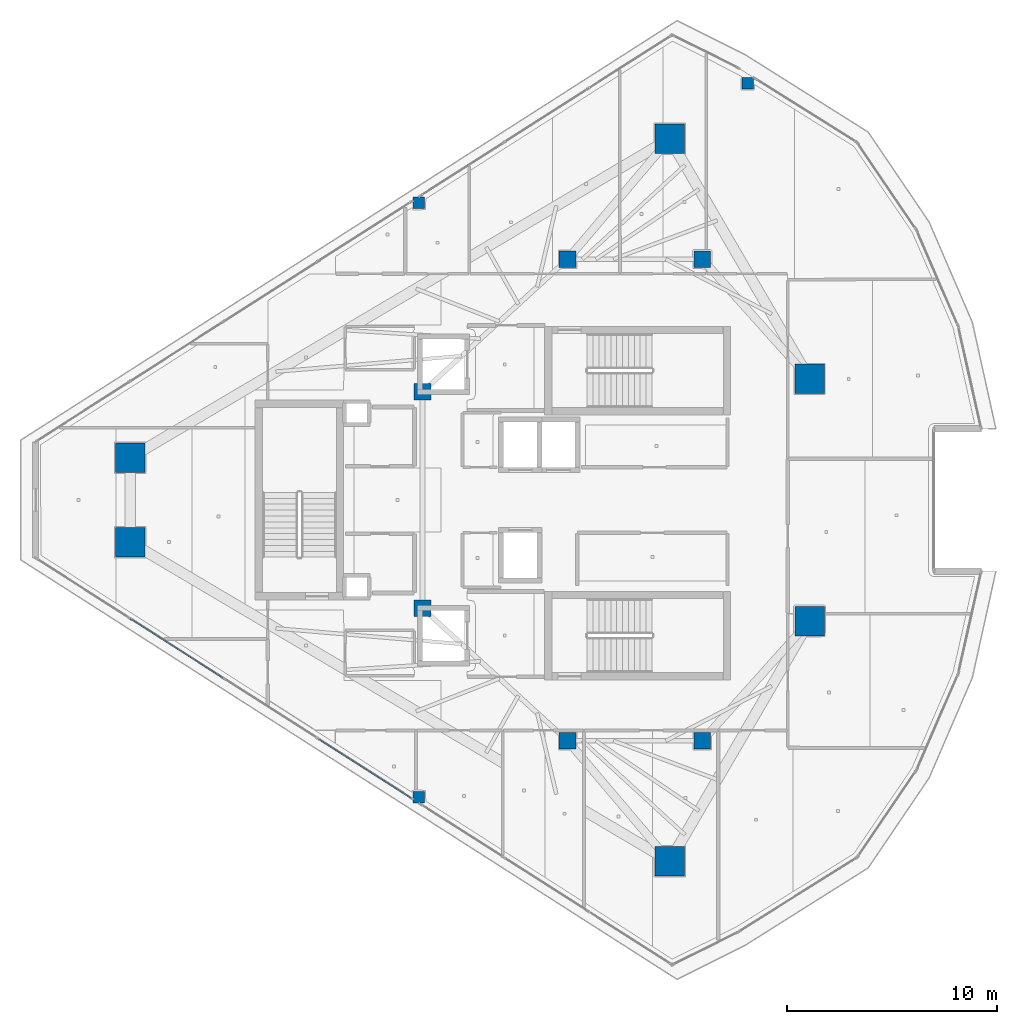
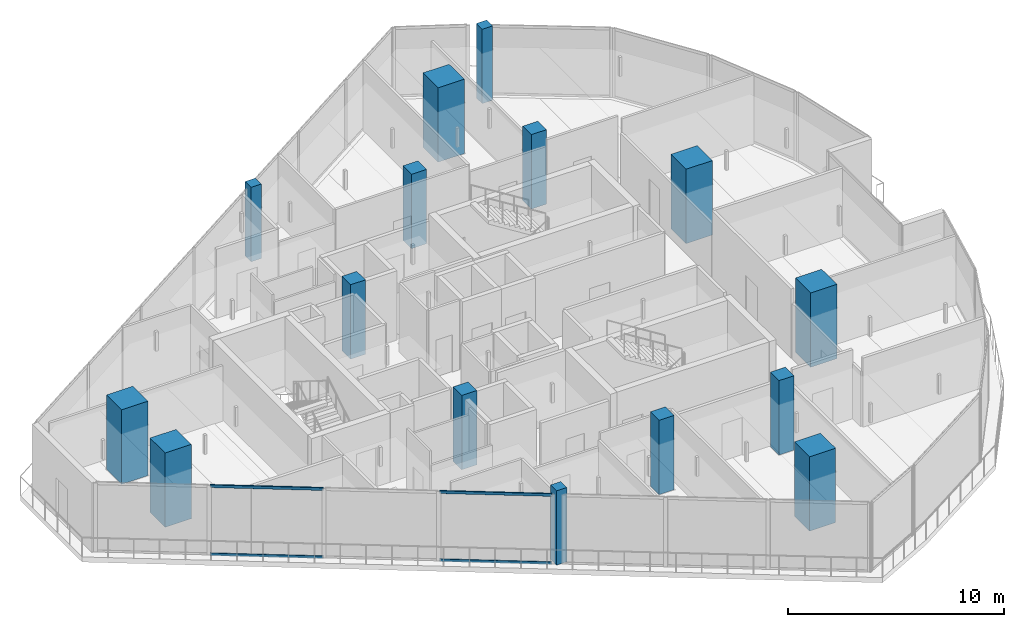
# One storey, part 1 of 25: 15 columns, 4 members, 1 element without a shape of its own.
"""IFC4 building model written with IfcOpenShell, lengths in metres."""

from ifc_helpers import new_model, si_unit, direction, frame, origin, origin_2d, place, context, subcontext, project, spatial, rectangle, hollow_rectangle, extrude, material, layer, layer_set, material_profile, profile_set, type_object, element, aggregate, save


model = new_model("IFC4")

# Units and contexts
model_context = context("Model", 3, precision=1e-05, world=origin(), true_north=direction((0.0, 1.0)))
body_context = subcontext(model_context, "Body", "Model", "MODEL_VIEW")
ifc_project = project(units=[si_unit("LENGTHUNIT", "METRE"), si_unit("AREAUNIT", "SQUARE_METRE"), si_unit("VOLUMEUNIT", "CUBIC_METRE"), si_unit("PLANEANGLEUNIT", "RADIAN"), si_unit("MASSUNIT", "GRAM", prefix="KILO")], contexts=[model_context])

# Site, building, storey
site_placement = place(None, origin())
site = spatial("IfcSite", under=ifc_project, at=site_placement, CompositionType="ELEMENT")
building_placement = place(site_placement, origin())
building = spatial("IfcBuilding", under=site, at=building_placement, Name="Qorvath Tower", CompositionType="ELEMENT")
storey_placement = place(building_placement, frame((0.0, 0.0, 306.0)))
storey = spatial("IfcBuildingStorey", under=building, at=storey_placement, Name="L71", CompositionType="ELEMENT", Elevation=306.0)

# Columns
ifc_material_1 = material(Name="Concrete C50/60", Category="concrete")
ifc_material_profile_1 = material_profile(ifc_material_1, rectangle(XDim=1.39990234375, YDim=1.39990234375, at=origin_2d()), Name="MC 1400x1400")
ifc_profile_set_1 = profile_set([ifc_material_profile_1], Name="Concrete C50/60")
column_type_1 = type_object("IfcColumnType", Name="COL-MC6", PredefinedType="COLUMN", material=ifc_profile_set_1)
for number, where, z_axis, x_axis, name in (
    (1, (-44.402587890625, 2.007568359375, 0.0), (0.0, 0.0, 1.0), (1.0, 0.0, 0.0), "Composite Mega-Column MC1 L71"),
    (2, (-44.402587890625, -2.007568359375, 0.0), (0.0, 0.0, 1.0), (1.0, 0.0, 0.0), "Composite Mega-Column MC2 L71"),
    (3, (-18.75048828125, -17.175537109375, 0.0), (0.0, 0.0, 1.0), (1.0, 0.0, 0.0), "Composite Mega-Column MC3 L71"),
    (4, (-12.0966796875, -5.7578125, 0.0), (0.0, 0.0, 1.0), (1.0, 0.0, 0.0), "Composite Mega-Column MC4 L71"),
    (5, (-12.0966796875, 5.7578125, 0.0), (0.0, 0.0, 1.0), (1.0, 0.0, 0.0), "Composite Mega-Column MC5 L71"),
    (6, (-18.75048828125, 17.175537109375, 0.0), (0.0, 0.0, 1.0), (1.0, 0.0, 0.0), "Composite Mega-Column MC6 L71"),
):
    element("IfcColumn", number, at=place(storey_placement, frame(where, z_axis=z_axis, x_axis=x_axis)), inside=storey, type_object=column_type_1, Name=name, PredefinedType="COLUMN", context=body_context, shape_type="SweptSolid", body=[
        extrude(rectangle(XDim=1.39990234375, YDim=1.39990234375, at=origin_2d()), origin(), (0.0, 0.0, 1.0), 4.199951171875),
    ])
ifc_material_2 = material(Name="Concrete C50/60", Category="concrete")
ifc_material_profile_2 = material_profile(ifc_material_2, rectangle(XDim=0.800048828125, YDim=0.800048828125, at=origin_2d()), Name="RC 800x800")
ifc_profile_set_2 = profile_set([ifc_material_profile_2], Name="Concrete C50/60")
column_type_2 = type_object("IfcColumnType", Name="COL-RC4", PredefinedType="COLUMN", material=ifc_profile_set_2)
for number, where, z_axis, x_axis, name in (
    (7, (-23.60009765625, 11.449951171875, 0.0), (0.0, 0.0, 1.0), (1.0, 0.0, 0.0), "Core Spine Column CC1 L71"),
    (8, (-17.199951171875, 11.449951171875, 0.0), (0.0, 0.0, 1.0), (1.0, 0.0, 0.0), "Core Spine Column CC2 L71"),
    (9, (-17.199951171875, -11.449951171875, 0.0), (0.0, 0.0, 1.0), (1.0, 0.0, 0.0), "Core Spine Column CC3 L71"),
    (10, (-23.60009765625, -11.449951171875, 0.0), (0.0, 0.0, 1.0), (1.0, 0.0, 0.0), "Core Spine Column CC4 L71"),
    (11, (-30.5, 5.14990234375, 0.0), (0.0, 0.0, 1.0), (1.0, 0.0, 0.0), "Core Spine Column CC5 L71"),
    (12, (-30.5, -5.14990234375, 0.0), (0.0, 0.0, 1.0), (1.0, 0.0, 0.0), "Core Spine Column CC6 L71"),
):
    element("IfcColumn", number, at=place(storey_placement, frame(where, z_axis=z_axis, x_axis=x_axis)), inside=storey, type_object=column_type_2, Name=name, PredefinedType="COLUMN", context=body_context, shape_type="SweptSolid", body=[
        extrude(rectangle(XDim=0.800048828125, YDim=0.800048828125, at=origin_2d()), origin(), (0.0, 0.0, 1.0), 4.199951171875),
    ])
ifc_material_3 = material(Name="Concrete C45/55", Category="concrete")
ifc_material_profile_3 = material_profile(ifc_material_3, rectangle(XDim=0.550048828125, YDim=0.550048828125, at=origin_2d()), Name="RC 550x550")
ifc_profile_set_3 = profile_set([ifc_material_profile_3], Name="Concrete C45/55")
column_type_3 = type_object("IfcColumnType", Name="COL-RC7", PredefinedType="COLUMN", material=ifc_profile_set_3)
for number, where, z_axis, x_axis, name in (
    (13, (-30.67724609375, 14.124267578125, 0.0), (0.0, 0.0, 1.0), (1.0, 0.0, 0.0), "Loggia Frame Pier Column LGH1 L71"),
    (14, (-30.67724609375, -14.124267578125, 0.0), (0.0, 0.0, 1.0), (1.0, 0.0, 0.0), "Loggia Frame Pier Column LGH2 L71"),
    (15, (-15.046142578125, 19.818115234375, 0.0), (0.0, 0.0, 1.0), (1.0, 0.0, 0.0), "Loggia Frame Pier Column LGH3 L71"),
):
    element("IfcColumn", number, at=place(storey_placement, frame(where, z_axis=z_axis, x_axis=x_axis)), inside=storey, type_object=column_type_3, Name=name, PredefinedType="COLUMN", context=body_context, shape_type="SweptSolid", body=[
        extrude(rectangle(XDim=0.550048828125, YDim=0.550048828125, at=origin_2d()), origin(), (0.0, 0.0, 1.0), 4.199951171875),
    ])

# Curtain wall, members
ifc_material_4 = material(Name="Anodised aluminium and triple low-E glass", Category="aluminium")
ifc_layer = layer(ifc_material_4, 0.179931640625)
ifc_layer_set = layer_set([ifc_layer], Name="CW-SYS-4")
curtain_wall_type = type_object("IfcCurtainWallType", Name="CW-SYS-4", PredefinedType="NOTDEFINED", material=ifc_layer_set)
curtain_wall_placement = place(storey_placement, origin())
curtain_wall = element("IfcCurtainWall", 16, at=curtain_wall_placement, inside=storey, type_object=curtain_wall_type, Name="Curtain Wall CW-4 CW-T-L71-2.1", PredefinedType="NOTDEFINED")
ifc_material_5 = material(Name="Anodised aluminium 6063-T6", Category="aluminium")
ifc_material_profile_4 = material_profile(ifc_material_5, hollow_rectangle(XDim=0.06494140625, YDim=0.159912109375, WallThickness=0.00341796875, InnerFilletRadius=0.00341796875, OuterFilletRadius=0.007080078125, at=origin_2d()), Name="CWT 160x65")
ifc_profile_set_4 = profile_set([ifc_material_profile_4], Name="Anodised aluminium 6063-T6")
member_type = type_object("IfcMemberType", Name="CWT-160", PredefinedType="USERDEFINED", material=ifc_profile_set_4)
member_1_placement = place(storey_placement, frame((-44.392578125, -5.64453125, 0.032470703125), z_axis=(0.842582843317, -0.538566757373, 0.0), x_axis=(0.538566757373, 0.842582843317, 0.0)))
member_1 = element("IfcMember", 17, at=member_1_placement, type_object=member_type, Name="CW-4 transom 2.1", ObjectType="TRANSOM", PredefinedType="USERDEFINED", context=body_context, shape_type="SweptSolid", body=[
    extrude(hollow_rectangle(XDim=0.06494140625, YDim=0.159912109375, WallThickness=0.00341796875, InnerFilletRadius=0.00341796875, OuterFilletRadius=0.007080078125, at=origin_2d()), origin(), (0.0, 0.0, 1.0), 5.23681640625),
])
member_2_placement = place(storey_placement, frame((-44.392578125, -5.64453125, 3.87744140625), z_axis=(0.842582843317, -0.538566757373, 0.0), x_axis=(0.538566757373, 0.842582843317, 0.0)))
member_2 = element("IfcMember", 18, at=member_2_placement, type_object=member_type, Name="CW-4 transom 2.2", ObjectType="TRANSOM", PredefinedType="USERDEFINED", context=body_context, shape_type="SweptSolid", body=[
    extrude(hollow_rectangle(XDim=0.06494140625, YDim=0.159912109375, WallThickness=0.00341796875, InnerFilletRadius=0.00341796875, OuterFilletRadius=0.007080078125, at=origin_2d()), origin(), (0.0, 0.0, 1.0), 5.23681640625),
])
member_3_placement = place(storey_placement, frame((-35.44140625, -11.36572265625, 0.032470703125), z_axis=(0.842594457649, -0.538548586423, 0.0), x_axis=(0.538548586423, 0.842594457649, 0.0)))
member_3 = element("IfcMember", 19, at=member_3_placement, type_object=member_type, Name="CW-4 transom 4.1", ObjectType="TRANSOM", PredefinedType="USERDEFINED", context=body_context, shape_type="SweptSolid", body=[
    extrude(hollow_rectangle(XDim=0.06494140625, YDim=0.159912109375, WallThickness=0.00341796875, InnerFilletRadius=0.00341796875, OuterFilletRadius=0.007080078125, at=origin_2d()), origin(), (0.0, 0.0, 1.0), 5.19921875),
])
member_4_placement = place(storey_placement, frame((-35.44140625, -11.36572265625, 3.87744140625), z_axis=(0.842594457649, -0.538548586423, 0.0), x_axis=(0.538548586423, 0.842594457649, 0.0)))
member_4 = element("IfcMember", 20, at=member_4_placement, type_object=member_type, Name="CW-4 transom 4.2", ObjectType="TRANSOM", PredefinedType="USERDEFINED", context=body_context, shape_type="SweptSolid", body=[
    extrude(hollow_rectangle(XDim=0.06494140625, YDim=0.159912109375, WallThickness=0.00341796875, InnerFilletRadius=0.00341796875, OuterFilletRadius=0.007080078125, at=origin_2d()), origin(), (0.0, 0.0, 1.0), 5.19921875),
])
aggregate(curtain_wall, [member_1, member_2, member_3, member_4])

save(model, "model.ifc")
